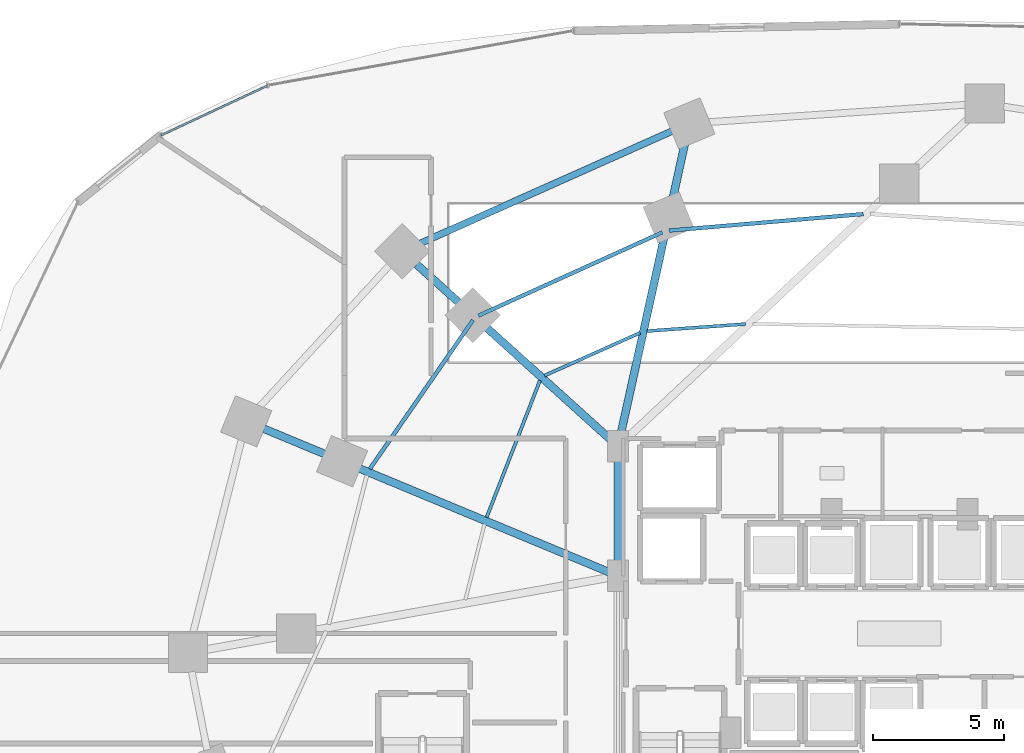
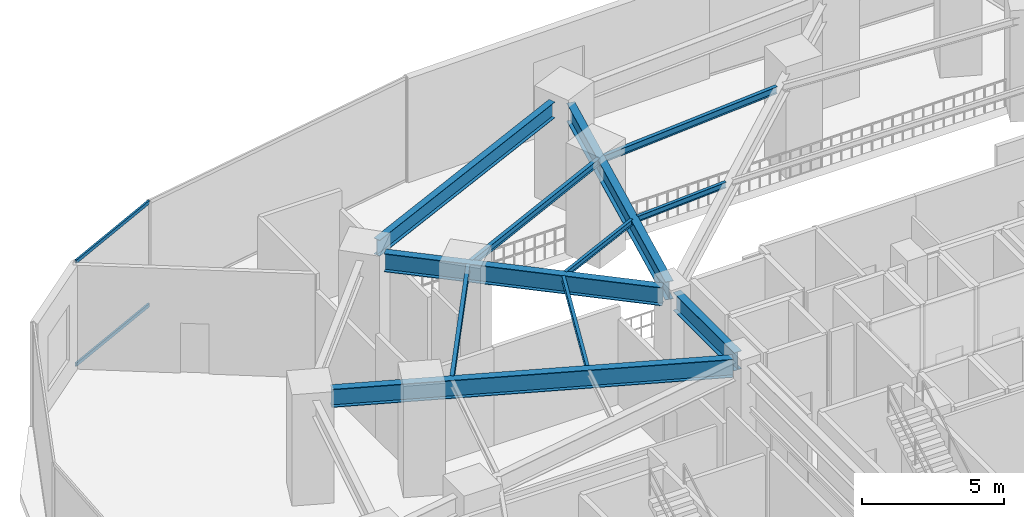
# One storey, part 17 of 36: 11 beams, 2 members, 1 element without a shape of its own.
"""IFC4 building model written with IfcOpenShell, lengths in metres."""

import ifcopenshell
import ifcopenshell.guid

model = None  # the IFC model being written
_history = None  # IfcOwnerHistory: only IFC2X3 demands one
_inside = {}  # id of a spatial element -> (the spatial element, [elements in it])
_under = {}  # id of a project, library or spatial element -> (it, [spatial elements below it])
_declared = {}  # id of a project -> (the project, [libraries it declares])
_typed = {}  # id of a type object -> (the type object, [elements of that type])
_made_of = {}  # id of a material, layer set ... -> (it, [elements and type objects made of it])


def new_model(schema):
    """Start an empty IFC model of exactly this schema.

    Asked for "IFC4X3", IfcOpenShell would pick the latest addendum, in which some entities
    have other attributes; the version numbers below select the first issue.
    IFC2X3 requires an IfcOwnerHistory on every rooted entity: one is made here for all.
    """
    global model, _history
    if schema == "IFC4X3":
        model = ifcopenshell.file(schema_version=(4, 3, 0, 0))
    else:
        model = ifcopenshell.file(schema=schema)
    _inside.clear()
    _under.clear()
    _declared.clear()
    _typed.clear()
    _made_of.clear()
    _history = None
    if model.schema == "IFC2X3":
        org = make("IfcOrganization", Name="unknown")
        user = make(
            "IfcPersonAndOrganization",
            ThePerson=make("IfcPerson", FamilyName="unknown"),
            TheOrganization=org,
        )
        app = make(
            "IfcApplication",
            ApplicationDeveloper=org,
            Version="unknown",
            ApplicationFullName="unknown",
            ApplicationIdentifier="unknown",
        )
        _history = make(
            "IfcOwnerHistory",
            OwningUser=user,
            OwningApplication=app,
            ChangeAction="ADDED",
            CreationDate=0,
        )
    return model


def make(cls, **values):
    """One entity of the class cls with the attributes given. An attribute that is None is left unset."""
    return model.create_entity(
        cls, **{name: value for name, value in values.items() if value is not None}
    )


def rooted(cls, **values):
    """An entity with a GlobalId (a new one), such as an element, a storey or a relation."""
    return make(cls, GlobalId=ifcopenshell.guid.new(), OwnerHistory=_history, **values)


def si_unit(unit_type, name, prefix=None):
    """IfcSIUnit, for example si_unit("LENGTHUNIT", "METRE", prefix="MILLI")."""
    return make("IfcSIUnit", UnitType=unit_type, Prefix=prefix, Name=name)


def assignment(units):
    """IfcUnitAssignment: the units of a project."""
    return None if units is None else make("IfcUnitAssignment", Units=units)


def point(xyz):
    """IfcCartesianPoint."""
    return None if xyz is None else make("IfcCartesianPoint", Coordinates=xyz)


def direction(xyz):
    """IfcDirection."""
    return None if xyz is None else make("IfcDirection", DirectionRatios=xyz)


def frame(location, z_axis=None, x_axis=None):
    """IfcAxis2Placement3D, a coordinate frame: its origin and axes. An axis left out is left unset."""
    return make(
        "IfcAxis2Placement3D",
        Location=point(location),
        Axis=direction(z_axis),
        RefDirection=direction(x_axis),
    )


def frame_2d(location, x_axis=None):
    """IfcAxis2Placement2D, a coordinate frame in the plane: its origin and x axis."""
    return make(
        "IfcAxis2Placement2D", Location=point(location), RefDirection=direction(x_axis)
    )


def origin():
    """The frame at (0, 0, 0) with its axes left unset."""
    return frame((0.0, 0.0, 0.0))


def origin_2d():
    """The frame at (0, 0) in the plane with its x axis left unset."""
    return frame_2d((0.0, 0.0))


def place(relative_to, where):
    """IfcLocalPlacement: puts the frame where relative to a parent placement (None: the world)."""
    return make(
        "IfcLocalPlacement", PlacementRelTo=relative_to, RelativePlacement=where
    )


def context(
    kind, dimensions, precision=None, world=None, true_north=None, identifier=None
):
    """IfcGeometricRepresentationContext, for example the 3D "Model" context."""
    return make(
        "IfcGeometricRepresentationContext",
        ContextIdentifier=identifier,
        ContextType=kind,
        CoordinateSpaceDimension=dimensions,
        Precision=precision,
        WorldCoordinateSystem=world,
        TrueNorth=true_north,
    )


def subcontext(parent, identifier, kind, view, scale=None):
    """IfcGeometricRepresentationSubContext, for example "Body" below "Model"."""
    return make(
        "IfcGeometricRepresentationSubContext",
        ContextIdentifier=identifier,
        ContextType=kind,
        ParentContext=parent,
        TargetScale=scale,
        TargetView=view,
    )


def project(units=None, contexts=None):
    """IfcProject with its units and contexts."""
    return rooted(
        "IfcProject",
        Name="project",
        RepresentationContexts=contexts,
        UnitsInContext=assignment(units),
    )


def spatial(cls, under=None, at=None, **own):
    """A site, building, storey or space (cls), placed at a placement, below another one or the project."""
    s = rooted(cls, ObjectPlacement=at, **own)
    if under is not None:
        _under.setdefault(under.id(), (under, []))[1].append(s)
    return s


def profile(cls, at=None, kind="AREA", **sizes):
    """A parametric profile (cls). Its sizes go by their IFC names, for example OverallWidth=200.0."""
    return make(cls, ProfileType=kind, Position=at, **sizes)


def hollow_rectangle(**sizes):
    """IfcRectangleHollowProfileDef."""
    return profile("IfcRectangleHollowProfileDef", **sizes)


def i_section(**sizes):
    """IfcIShapeProfileDef."""
    return profile("IfcIShapeProfileDef", **sizes)


def extrude(swept, where, along, depth):
    """IfcExtrudedAreaSolid: the profile swept, set in the frame where, extruded along a direction by depth."""
    return make(
        "IfcExtrudedAreaSolid",
        SweptArea=swept,
        Position=where,
        ExtrudedDirection=direction(along),
        Depth=depth,
    )


def shape(context_of_items, identifier, shape_type, items):
    """IfcShapeRepresentation: the items that make up one representation, for example the "Body"."""
    return make(
        "IfcShapeRepresentation",
        ContextOfItems=context_of_items,
        RepresentationIdentifier=identifier,
        RepresentationType=shape_type,
        Items=items,
    )


def material(Name=None, Category=None):
    """IfcMaterial."""
    return make("IfcMaterial", Name=Name, Category=Category)


def material_profile(
    of_material, cross_section, Name=None, Category=None, Priority=None
):
    """IfcMaterialProfile: a cross section and its material."""
    return make(
        "IfcMaterialProfile",
        Name=Name,
        Material=of_material,
        Profile=cross_section,
        Priority=Priority,
        Category=Category,
    )


def profile_set(profiles, Name=None, composite=None):
    """IfcMaterialProfileSet."""
    return make(
        "IfcMaterialProfileSet",
        Name=Name,
        MaterialProfiles=profiles,
        CompositeProfile=composite,
    )


def made_of(thing, what):
    """Note that an element or type object is made of a material, layer set ...; save() writes the relation."""
    if what is not None:
        _made_of.setdefault(what.id(), (what, []))[1].append(thing)
    return thing


def type_object(cls, material=None, **own):
    """A type object (cls), such as IfcWallType, which elements share."""
    return made_of(rooted(cls, **own), material)


def element(
    cls,
    number,
    at=None,
    inside=None,
    cuts=None,
    type_object=None,
    material=None,
    context=None,
    identifier="Body",
    shape_type=None,
    held_by="IfcProductDefinitionShape",
    body=None,
    shapes=None,
    **own,
):
    """One element of the class cls, such as IfcWall. Its Tag is "e" and its number.

    at: its placement. inside: the storey or other place that contains it. cuts: it is an
    opening in that element (IfcRelVoidsElement). A single representation is given by context,
    identifier, shape_type and body (its items); several are given by shapes. held_by: the class
    of the entity that holds the representations. save() writes the other relations.
    """
    e = rooted(cls, Tag="e%d" % number, ObjectPlacement=at, **own)
    if body is not None:
        shapes = [shape(context, identifier, shape_type, body)]
    if shapes is not None:
        e.Representation = make(held_by, Representations=shapes)
    if inside is not None:
        _inside.setdefault(inside.id(), (inside, []))[1].append(e)
    if cuts is not None:
        rooted(
            "IfcRelVoidsElement", RelatingBuildingElement=cuts, RelatedOpeningElement=e
        )
    if type_object is not None:
        _typed.setdefault(type_object.id(), (type_object, []))[1].append(e)
    return made_of(e, material)


def aggregate(whole, parts):
    """IfcRelAggregates: a whole, such as a stair, and the parts it consists of."""
    return rooted("IfcRelAggregates", RelatingObject=whole, RelatedObjects=parts)


def save(model, path):
    """Write the relations noted so far, then the file.

    IfcRelAggregates (storeys below a building ...), IfcRelContainedInSpatialStructure (elements
    in a storey), IfcRelDefinesByType, IfcRelAssociatesMaterial and IfcRelDeclares: one each for
    every whole, place, type object, material and project.
    """
    for whole, parts in _under.values():
        aggregate(whole, parts)
    for where, things in _inside.values():
        rooted(
            "IfcRelContainedInSpatialStructure",
            RelatedElements=things,
            RelatingStructure=where,
        )
    for kind, things in _typed.values():
        rooted("IfcRelDefinesByType", RelatedObjects=things, RelatingType=kind)
    for what, things in _made_of.values():
        rooted("IfcRelAssociatesMaterial", RelatedObjects=things, RelatingMaterial=what)
    for by, libraries in _declared.values():
        rooted("IfcRelDeclares", RelatingContext=by, RelatedDefinitions=libraries)
    model.write(path)


model = new_model("IFC4")

# Units and contexts
model_context = context("Model", 3, precision=1e-05, world=origin(), true_north=direction((0.0, 1.0)))
body_context = subcontext(model_context, "Body", "Model", "MODEL_VIEW")
ifc_project = project(units=[si_unit("LENGTHUNIT", "METRE"), si_unit("AREAUNIT", "SQUARE_METRE"), si_unit("VOLUMEUNIT", "CUBIC_METRE"), si_unit("PLANEANGLEUNIT", "RADIAN"), si_unit("MASSUNIT", "GRAM", prefix="KILO")], contexts=[model_context])

# Site, building, storey
site_placement = place(None, origin())
site = spatial("IfcSite", under=ifc_project, at=site_placement, CompositionType="ELEMENT")
building_placement = place(site_placement, origin())
building = spatial("IfcBuilding", under=site, at=building_placement, Name="Vorneva Point Tower", CompositionType="ELEMENT")
storey_placement = place(building_placement, origin())
storey = spatial("IfcBuildingStorey", under=building, at=storey_placement, Name="L00", CompositionType="ELEMENT", Elevation=0.0)

# Beams
ifc_material_1 = material(Name="Steel S355", Category="steel")
ifc_material_profile_1 = material_profile(ifc_material_1, i_section(OverallWidth=0.300048828125, OverallDepth=0.7880859375, WebThickness=0.014404296875, FlangeThickness=0.02197265625, at=origin_2d()), Name="80Sh1")
ifc_profile_set_1 = profile_set([ifc_material_profile_1], Name="Steel S355")
beam_type_1 = type_object("IfcBeamType", Name="BM-GRD-80Sh1", PredefinedType="USERDEFINED", material=ifc_profile_set_1)
beam_1_placement = place(storey_placement, frame((29.814697265625, 44.77099609375, 4.0859375), z_axis=(-0.215510345791, -0.976501557017, 0.0), x_axis=(0.976501557017, -0.215510345791, 0.0)))
element("IfcBeam", 1, at=beam_1_placement, inside=storey, type_object=beam_type_1, Name="L00 Radial Primary Girder 06", ObjectType="GIRDER", PredefinedType="USERDEFINED", context=body_context, shape_type="SweptSolid", body=[
    extrude(i_section(OverallWidth=0.300048828125, OverallDepth=0.7880859375, WebThickness=0.014404296875, FlangeThickness=0.02197265625, at=origin_2d()), origin(), (0.0, 0.0, 1.0), 11.560791015625),
])
beam_2_placement = place(storey_placement, frame((19.55029296875, 40.10498046875, 4.0859375), z_axis=(0.742089370901, -0.67030095151, 0.0), x_axis=(0.67030095151, 0.742089370901, 0.0)))
element("IfcBeam", 2, at=beam_2_placement, inside=storey, type_object=beam_type_1, Name="L00 Radial Primary Girder 07", ObjectType="GIRDER", PredefinedType="USERDEFINED", context=body_context, shape_type="SweptSolid", body=[
    extrude(i_section(OverallWidth=0.300048828125, OverallDepth=0.7880859375, WebThickness=0.014404296875, FlangeThickness=0.02197265625, at=origin_2d()), origin(), (0.0, 0.0, 1.0), 10.035888671875),
])
beam_3_placement = place(storey_placement, frame((13.720703125, 33.822265625, 4.0859375), z_axis=(0.923440919845, -0.383740625365, 0.0), x_axis=(0.383740625365, 0.923440919845, 0.0)))
element("IfcBeam", 3, at=beam_3_placement, inside=storey, type_object=beam_type_1, Name="L00 Radial Primary Girder 08", ObjectType="GIRDER", PredefinedType="USERDEFINED", context=body_context, shape_type="SweptSolid", body=[
    extrude(i_section(OverallWidth=0.300048828125, OverallDepth=0.7880859375, WebThickness=0.014404296875, FlangeThickness=0.02197265625, at=origin_2d()), origin(), (0.0, 0.0, 1.0), 14.31103515625),
])
beam_4_placement = place(storey_placement, frame((27.25, 28.52001953125, 4.0859375), z_axis=(0.0, 1.0, 0.0), x_axis=(-1.0, 0.0, 0.0)))
element("IfcBeam", 4, at=beam_4_placement, inside=storey, type_object=beam_type_1, Name="L00 Core Tie Girder CT2", ObjectType="GIRDER", PredefinedType="USERDEFINED", context=body_context, shape_type="SweptSolid", body=[
    extrude(i_section(OverallWidth=0.300048828125, OverallDepth=0.7880859375, WebThickness=0.014404296875, FlangeThickness=0.02197265625, at=origin_2d()), origin(), (0.0, 0.0, 1.0), 4.31005859375),
])
ifc_material_profile_2 = material_profile(ifc_material_1, i_section(OverallWidth=0.1240234375, OverallDepth=0.248046875, WebThickness=0.0048828125, FlangeThickness=0.008056640625, at=origin_2d()), Name="25B1")
ifc_profile_set_2 = profile_set([ifc_material_profile_2], Name="Steel S355")
beam_type_2 = type_object("IfcBeamType", Name="BM-JST-25B1", PredefinedType="JOIST", material=ifc_profile_set_2)
beam_5_placement = place(storey_placement, frame((32.122802734375, 37.82421875, 4.35595703125), z_axis=(-0.997470178686, -0.071086163438, 0.0), x_axis=(0.071086163438, -0.997470178686, 0.0)))
element("IfcBeam", 5, at=beam_5_placement, inside=storey, type_object=beam_type_2, Name="L00 Secondary Floor Beam 2.05", PredefinedType="JOIST", context=body_context, shape_type="SweptSolid", body=[
    extrude(i_section(OverallWidth=0.1240234375, OverallDepth=0.248046875, WebThickness=0.0048828125, FlangeThickness=0.008056640625, at=origin_2d()), origin(), (0.0, 0.0, 1.0), 3.7744140625),
])
beam_6_placement = place(storey_placement, frame((28.09423828125, 37.48974609375, 4.35595703125), z_axis=(-0.912802087276, -0.408402190817, 0.0), x_axis=(0.408402190817, -0.912802087276, 0.0)))
element("IfcBeam", 6, at=beam_6_placement, inside=storey, type_object=beam_type_2, Name="L00 Secondary Floor Beam 2.06", PredefinedType="JOIST", context=body_context, shape_type="SweptSolid", body=[
    extrude(i_section(OverallWidth=0.1240234375, OverallDepth=0.248046875, WebThickness=0.0048828125, FlangeThickness=0.008056640625, at=origin_2d()), origin(), (0.0, 0.0, 1.0), 4.00048828125),
])
beam_7_placement = place(storey_placement, frame((24.2666015625, 35.671142578125, 4.35595703125), z_axis=(-0.362788075958, -0.931871671392, 0.0), x_axis=(0.931871671392, -0.362788075958, 0.0)))
element("IfcBeam", 7, at=beam_7_placement, inside=storey, type_object=beam_type_2, Name="L00 Secondary Floor Beam 2.07", PredefinedType="JOIST", context=body_context, shape_type="SweptSolid", body=[
    extrude(i_section(OverallWidth=0.1240234375, OverallDepth=0.248046875, WebThickness=0.0048828125, FlangeThickness=0.008056640625, at=origin_2d()), origin(), (0.0, 0.0, 1.0), 5.617919921875),
])
ifc_material_profile_3 = material_profile(ifc_material_1, i_section(OverallWidth=0.14892578125, OverallDepth=0.298095703125, WebThickness=0.005615234375, FlangeThickness=0.008056640625, at=origin_2d()), Name="30B1")
ifc_profile_set_3 = profile_set([ifc_material_profile_3], Name="Steel S355")
beam_type_3 = type_object("IfcBeamType", Name="BM-JST-30B1", PredefinedType="JOIST", material=ifc_profile_set_3)
beam_8_placement = place(storey_placement, frame((36.6201171875, 42.02685546875, 4.3310546875), z_axis=(-0.996400601689, -0.084769339702, 0.0), x_axis=(0.084769339702, -0.996400601689, 0.0)))
element("IfcBeam", 8, at=beam_8_placement, inside=storey, type_object=beam_type_3, Name="L00 Secondary Floor Beam 1.05", PredefinedType="JOIST", context=body_context, shape_type="SweptSolid", body=[
    extrude(i_section(OverallWidth=0.14892578125, OverallDepth=0.298095703125, WebThickness=0.005615234375, FlangeThickness=0.008056640625, at=origin_2d()), origin(), (0.0, 0.0, 1.0), 7.442138671875),
])
beam_9_placement = place(storey_placement, frame((28.941650390625, 41.327392578125, 4.3310546875), z_axis=(-0.910977501851, -0.412456047503, 0.0), x_axis=(0.412456047503, -0.910977501851, 0.0)))
element("IfcBeam", 9, at=beam_9_placement, inside=storey, type_object=beam_type_3, Name="L00 Secondary Floor Beam 1.06", PredefinedType="JOIST", context=body_context, shape_type="SweptSolid", body=[
    extrude(i_section(OverallWidth=0.14892578125, OverallDepth=0.298095703125, WebThickness=0.005615234375, FlangeThickness=0.008056640625, at=origin_2d()), origin(), (0.0, 0.0, 1.0), 7.718505859375),
])
beam_10_placement = place(storey_placement, frame((21.705810546875, 37.973388671875, 4.3310546875), z_axis=(-0.569787883834, -0.821791802975, 0.0), x_axis=(0.821791802975, -0.569787883834, 0.0)))
element("IfcBeam", 10, at=beam_10_placement, inside=storey, type_object=beam_type_3, Name="L00 Secondary Floor Beam 1.07", PredefinedType="JOIST", context=body_context, shape_type="SweptSolid", body=[
    extrude(i_section(OverallWidth=0.14892578125, OverallDepth=0.298095703125, WebThickness=0.005615234375, FlangeThickness=0.008056640625, at=origin_2d()), origin(), (0.0, 0.0, 1.0), 6.918212890625),
])
ifc_material_profile_4 = material_profile(ifc_material_1, i_section(OverallWidth=0.260009765625, OverallDepth=0.69091796875, WebThickness=0.011962890625, FlangeThickness=0.015380859375, at=origin_2d()), Name="70B1")
ifc_profile_set_4 = profile_set([ifc_material_profile_4], Name="Steel S355")
beam_type_4 = type_object("IfcBeamType", Name="BM-SPN-70B1", PredefinedType="SPANDREL", material=ifc_profile_set_4)
beam_11_placement = place(storey_placement, frame((29.302490234375, 45.1923828125, 4.134521484375), z_axis=(-0.91332481678, -0.407231849263, 0.0), x_axis=(0.407231849263, -0.91332481678, 0.0)))
element("IfcBeam", 11, at=beam_11_placement, inside=storey, type_object=beam_type_4, Name="L00 Perimeter Spandrel Ring Beam 06", PredefinedType="SPANDREL", context=body_context, shape_type="SweptSolid", body=[
    extrude(i_section(OverallWidth=0.260009765625, OverallDepth=0.69091796875, WebThickness=0.011962890625, FlangeThickness=0.015380859375, at=origin_2d()), origin(), (0.0, 0.0, 1.0), 10.54248046875),
])

# Curtain wall, members
ifc_material_2 = material(Name="Pale anodised aluminium", Category="aluminium")
curtain_wall_type = type_object("IfcCurtainWallType", Name="CW-POD-SYS", PredefinedType="NOTDEFINED", material=ifc_material_2)
curtain_wall_placement = place(storey_placement, origin())
curtain_wall = element("IfcCurtainWall", 12, at=curtain_wall_placement, inside=storey, type_object=curtain_wall_type, Name="L00 Unitised Curtain Wall CW-L00-R03", PredefinedType="NOTDEFINED")
ifc_material_profile_5 = material_profile(ifc_material_2, hollow_rectangle(XDim=0.074951171875, YDim=0.14990234375, WallThickness=0.00390625, at=origin_2d()), Name="AL-TRN 150x75x4")
ifc_profile_set_5 = profile_set([ifc_material_profile_5], Name="Pale anodised aluminium")
member_type = type_object("IfcMemberType", Name="CW-TRN-150", PredefinedType="USERDEFINED", material=ifc_profile_set_5)
member_1_placement = place(storey_placement, frame((13.871826171875, 46.943603515625, 0.02001953125), z_axis=(-0.90617069541, -0.422912131275, 0.0), x_axis=(0.422912131275, -0.90617069541, 0.0)))
member_1 = element("IfcMember", 13, at=member_1_placement, type_object=member_type, Name="CW-L00-R03 Transom 02.1", ObjectType="TRANSOM", PredefinedType="USERDEFINED", context=body_context, shape_type="SweptSolid", body=[
    extrude(hollow_rectangle(XDim=0.074951171875, YDim=0.14990234375, WallThickness=0.00390625, at=origin_2d()), origin(), (0.0, 0.0, 1.0), 4.510986328125),
])
member_2_placement = place(storey_placement, frame((13.871826171875, 46.943603515625, 4.4599609375), z_axis=(-0.90617069541, -0.422912131275, 0.0), x_axis=(0.422912131275, -0.90617069541, 0.0)))
member_2 = element("IfcMember", 14, at=member_2_placement, type_object=member_type, Name="CW-L00-R03 Transom 02.2", ObjectType="TRANSOM", PredefinedType="USERDEFINED", context=body_context, shape_type="SweptSolid", body=[
    extrude(hollow_rectangle(XDim=0.074951171875, YDim=0.14990234375, WallThickness=0.00390625, at=origin_2d()), origin(), (0.0, 0.0, 1.0), 4.510986328125),
])
aggregate(curtain_wall, [member_1, member_2])

save(model, "model.ifc")
